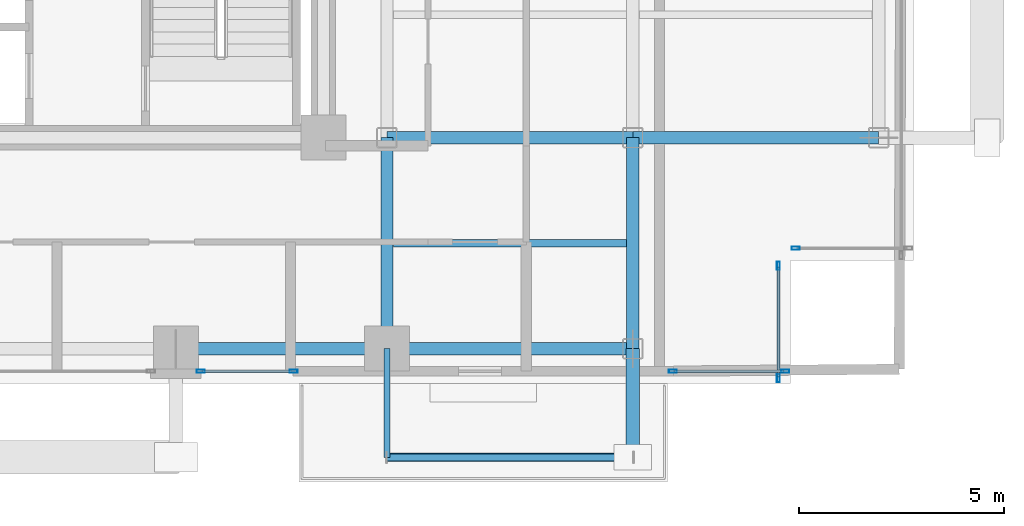
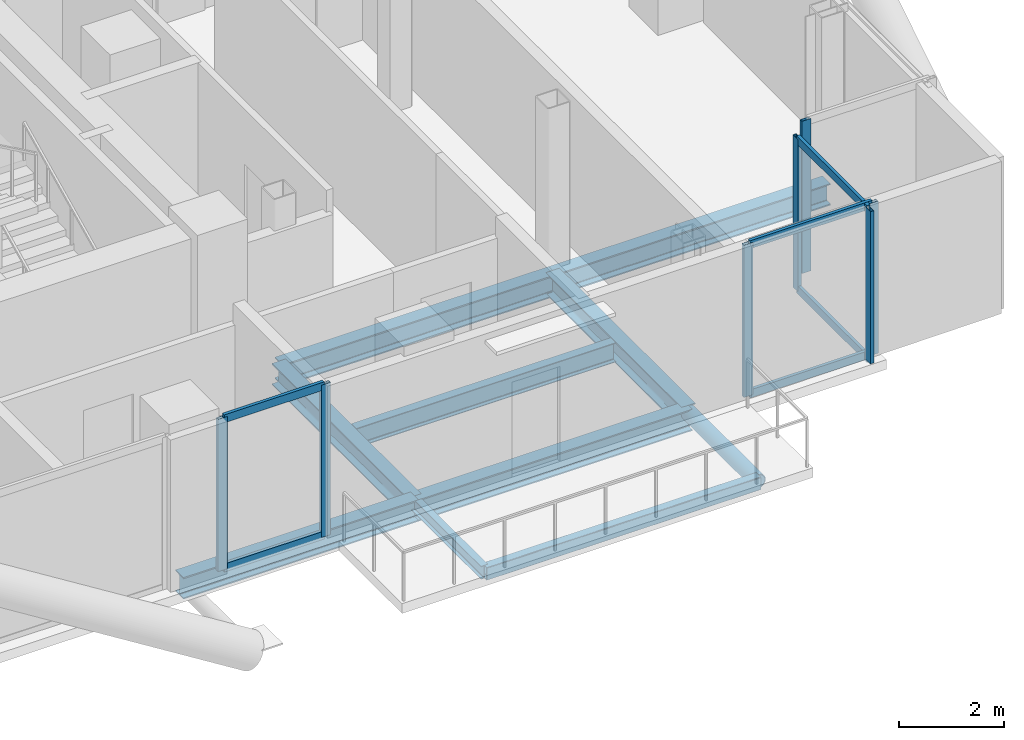
# One storey, part 10 of 28: 14 members, 9 beams, 4 elements without a shape of their own.
"""IFC4 building model written with IfcOpenShell, lengths in metres."""

from ifc_helpers import new_model, si_unit, direction, frame, origin, origin_2d, place, context, subcontext, project, spatial, hollow_rectangle, hollow_circle, i_section, extrude, material, layer, layer_set, material_profile, profile_set, type_object, element, aggregate, save


model = new_model("IFC4")

# Units and contexts
model_context = context("Model", 3, precision=1e-05, world=origin(), true_north=direction((0.0, 1.0)))
body_context = subcontext(model_context, "Body", "Model", "MODEL_VIEW")
ifc_project = project(units=[si_unit("LENGTHUNIT", "METRE"), si_unit("AREAUNIT", "SQUARE_METRE"), si_unit("VOLUMEUNIT", "CUBIC_METRE"), si_unit("PLANEANGLEUNIT", "RADIAN"), si_unit("MASSUNIT", "GRAM", prefix="KILO"), si_unit("THERMODYNAMICTEMPERATUREUNIT", "KELVIN"), si_unit("POWERUNIT", "WATT")], contexts=[model_context])

# Site, building, storey
site_placement = place(None, origin())
site = spatial("IfcSite", under=ifc_project, at=site_placement, CompositionType="ELEMENT")
building_placement = place(site_placement, origin())
building = spatial("IfcBuilding", under=site, at=building_placement, Name="Svarakhadi Broadcast Tower", CompositionType="ELEMENT")
storey_placement = place(building_placement, frame((0.0, 0.0, 134.39990234375)))
storey = spatial("IfcBuildingStorey", under=building, at=storey_placement, Name="L32", CompositionType="ELEMENT", Elevation=134.39990234375)

# Beam
ifc_material_1 = material(Name="Steel S355J2 (IS 2062 E350C)", Category="steel")
ifc_material_profile_1 = material_profile(ifc_material_1, i_section(OverallWidth=0.18994140625, OverallDepth=0.449951171875, WebThickness=0.009521484375, FlangeThickness=0.0146484375, FilletRadius=0.02099609375, at=origin_2d()), Name="NPB 450x190x78")
ifc_profile_set_1 = profile_set([ifc_material_profile_1], Name="Steel S355J2 (IS 2062 E350C)")
beam_type_1 = type_object("IfcBeamType", Name="Beam_NPB450", PredefinedType="BEAM", material=ifc_profile_set_1)
beam_1_placement = place(storey_placement, frame((35.31005859375, 3.425048828125, -0.449951171875), z_axis=(1.0, 0.0, 0.0), x_axis=(0.0, 1.0, 0.0)))
element("IfcBeam", 1, at=beam_1_placement, inside=storey, type_object=beam_type_1, Name="L32 Secondary Composite Beam SB019", PredefinedType="BEAM", context=body_context, shape_type="SweptSolid", body=[
    extrude(i_section(OverallWidth=0.18994140625, OverallDepth=0.449951171875, WebThickness=0.009521484375, FlangeThickness=0.0146484375, FilletRadius=0.02099609375, at=origin_2d()), origin(), (0.0, 0.0, 1.0), 5.679931640625),
])

# Curtain wall, member
ifc_material_2 = material(Name="Anodised Bronze Aluminium AA 6063-T6", Category="aluminium")
ifc_layer = layer(ifc_material_2, 0.199951171875)
ifc_layer_set = layer_set([ifc_layer], Name="Anodised Bronze Aluminium AA 6063-T6")
curtain_wall_type = type_object("IfcCurtainWallType", Name="CW_Sys_03", PredefinedType="NOTDEFINED", material=ifc_layer_set)
curtain_wall_1_placement = place(storey_placement, origin())
curtain_wall_1 = element("IfcCurtainWall", 2, at=curtain_wall_1_placement, inside=storey, type_object=curtain_wall_type, Name="L32 Unitised Facade Curtain Wall 14", PredefinedType="NOTDEFINED")
ifc_material_profile_2 = material_profile(ifc_material_2, hollow_rectangle(XDim=0.074951171875, YDim=0.199951171875, WallThickness=0.005615234375, at=origin_2d()), Name="ALU MULLION 200x75x6")
ifc_profile_set_2 = profile_set([ifc_material_profile_2], Name="Anodised Bronze Aluminium AA 6063-T6")
member_type_1 = type_object("IfcMemberType", Name="CW_Sys_03_Mul", PredefinedType="MULLION", material=ifc_profile_set_2)
member_1_placement = place(storey_placement, frame((45.12744140625, 3.300048828125, 0.0), z_axis=(0.0, 0.0, 1.0), x_axis=(0.0, -1.0, 0.0)))
member_1 = element("IfcMember", 3, at=member_1_placement, type_object=member_type_1, Name="CW-03 mullion 2", PredefinedType="MULLION", context=body_context, shape_type="SweptSolid", body=[
    extrude(hollow_rectangle(XDim=0.074951171875, YDim=0.199951171875, WallThickness=0.005615234375, at=origin_2d()), origin(), (0.0, 0.0, 1.0), 3.525146484375),
])
aggregate(curtain_wall_1, [member_1])

# Curtain wall, members
curtain_wall_2_placement = place(storey_placement, origin())
curtain_wall_2 = element("IfcCurtainWall", 4, at=curtain_wall_2_placement, inside=storey, type_object=curtain_wall_type, Name="L32 Unitised Facade Curtain Wall 15", PredefinedType="NOTDEFINED")
member_2_placement = place(storey_placement, frame((44.699951171875, 2.87255859375, 0.0), z_axis=(0.0, 0.0, 1.0), x_axis=(1.0, 0.0, 0.0)))
member_2 = element("IfcMember", 5, at=member_2_placement, type_object=member_type_1, Name="CW-03 mullion 1", PredefinedType="MULLION", context=body_context, shape_type="SweptSolid", body=[
    extrude(hollow_rectangle(XDim=0.074951171875, YDim=0.199951171875, WallThickness=0.005615234375, at=origin_2d()), origin(), (0.0, 0.0, 1.0), 3.525146484375),
])
member_3_placement = place(storey_placement, frame((44.699951171875, 0.12744140625, 0.0), z_axis=(0.0, 0.0, 1.0), x_axis=(1.0, 0.0, 0.0)))
member_3 = element("IfcMember", 6, at=member_3_placement, type_object=member_type_1, Name="CW-03 mullion 2", PredefinedType="MULLION", context=body_context, shape_type="SweptSolid", body=[
    extrude(hollow_rectangle(XDim=0.074951171875, YDim=0.199951171875, WallThickness=0.005615234375, at=origin_2d()), origin(), (0.0, 0.0, 1.0), 3.525146484375),
])

curtain_wall_3_placement = place(storey_placement, origin())
curtain_wall_3 = element("IfcCurtainWall", 7, at=curtain_wall_3_placement, inside=storey, type_object=curtain_wall_type, Name="L32 South Curtain Wall 16", PredefinedType="NOTDEFINED")
member_4_placement = place(storey_placement, frame((44.87255859375, 0.300048828125, 0.0), z_axis=(0.0, 0.0, 1.0), x_axis=(0.0, -1.0, 0.0)))
member_4 = element("IfcMember", 8, at=member_4_placement, type_object=member_type_1, Name="CW-03 mullion 1", PredefinedType="MULLION", context=body_context, shape_type="SweptSolid", body=[
    extrude(hollow_rectangle(XDim=0.074951171875, YDim=0.199951171875, WallThickness=0.005615234375, at=origin_2d()), origin(), (0.0, 0.0, 1.0), 3.525146484375),
])
member_5_placement = place(storey_placement, frame((42.12744140625, 0.300048828125, 0.0), z_axis=(0.0, 0.0, 1.0), x_axis=(0.0, -1.0, 0.0)))
member_5 = element("IfcMember", 9, at=member_5_placement, type_object=member_type_1, Name="CW-03 mullion 2", PredefinedType="MULLION", context=body_context, shape_type="SweptSolid", body=[
    extrude(hollow_rectangle(XDim=0.074951171875, YDim=0.199951171875, WallThickness=0.005615234375, at=origin_2d()), origin(), (0.0, 0.0, 1.0), 3.525146484375),
])

curtain_wall_4_placement = place(storey_placement, origin())
curtain_wall_4 = element("IfcCurtainWall", 10, at=curtain_wall_4_placement, inside=storey, type_object=curtain_wall_type, Name="L32 South Curtain Wall 17 Bay 1", PredefinedType="NOTDEFINED")
member_6_placement = place(storey_placement, frame((32.87255859375, 0.300048828125, 0.0), z_axis=(0.0, 0.0, 1.0), x_axis=(0.0, -1.0, 0.0)))
member_6 = element("IfcMember", 11, at=member_6_placement, type_object=member_type_1, Name="CW-03 mullion 1", PredefinedType="MULLION", context=body_context, shape_type="SweptSolid", body=[
    extrude(hollow_rectangle(XDim=0.074951171875, YDim=0.199951171875, WallThickness=0.005615234375, at=origin_2d()), origin(), (0.0, 0.0, 1.0), 3.525146484375),
])
member_7_placement = place(storey_placement, frame((30.607421875, 0.300048828125, 0.0), z_axis=(0.0, 0.0, 1.0), x_axis=(0.0, -1.0, 0.0)))
member_7 = element("IfcMember", 12, at=member_7_placement, type_object=member_type_1, Name="CW-03 mullion 2", PredefinedType="MULLION", context=body_context, shape_type="SweptSolid", body=[
    extrude(hollow_rectangle(XDim=0.074951171875, YDim=0.199951171875, WallThickness=0.005615234375, at=origin_2d()), origin(), (0.0, 0.0, 1.0), 3.525146484375),
])

# Member
ifc_material_profile_3 = material_profile(ifc_material_2, hollow_rectangle(XDim=0.070068359375, YDim=0.18505859375, WallThickness=0.0048828125, at=origin_2d()), Name="ALU TRANSOM 185x70x5")
ifc_profile_set_3 = profile_set([ifc_material_profile_3], Name="Anodised Bronze Aluminium AA 6063-T6")
member_type_2 = type_object("IfcMemberType", Name="CW_Sys_03_Trn", PredefinedType="USERDEFINED", material=ifc_profile_set_3)
member_8_placement = place(storey_placement, frame((44.699951171875, 2.8349609375, 0.03515625), z_axis=(0.0, -1.0, 0.0), x_axis=(1.0, 0.0, 0.0)))
member_8 = element("IfcMember", 13, at=member_8_placement, type_object=member_type_2, Name="CW-03 transom 1.1", ObjectType="TRANSOM", PredefinedType="USERDEFINED", context=body_context, shape_type="SweptSolid", body=[
    extrude(hollow_rectangle(XDim=0.070068359375, YDim=0.18505859375, WallThickness=0.0048828125, at=origin_2d()), origin(), (0.0, 0.0, 1.0), 2.669921875),
])

member_9_placement = place(storey_placement, frame((44.699951171875, 2.8349609375, 3.489990234375), z_axis=(0.0, -1.0, 0.0), x_axis=(1.0, 0.0, 0.0)))
member_9 = element("IfcMember", 14, at=member_9_placement, type_object=member_type_2, Name="CW-03 transom 1.2", ObjectType="TRANSOM", PredefinedType="USERDEFINED", context=body_context, shape_type="SweptSolid", body=[
    extrude(hollow_rectangle(XDim=0.070068359375, YDim=0.18505859375, WallThickness=0.0048828125, at=origin_2d()), origin(), (0.0, 0.0, 1.0), 2.669921875),
])

aggregate(curtain_wall_2, [member_2, member_3, member_8, member_9])

member_10_placement = place(storey_placement, frame((44.8349609375, 0.300048828125, 0.03515625), z_axis=(-1.0, 0.0, 0.0), x_axis=(0.0, -1.0, 0.0)))
member_10 = element("IfcMember", 15, at=member_10_placement, type_object=member_type_2, Name="CW-03 transom 1.1", ObjectType="TRANSOM", PredefinedType="USERDEFINED", context=body_context, shape_type="SweptSolid", body=[
    extrude(hollow_rectangle(XDim=0.070068359375, YDim=0.18505859375, WallThickness=0.0048828125, at=origin_2d()), origin(), (0.0, 0.0, 1.0), 2.669921875),
])

member_11_placement = place(storey_placement, frame((44.8349609375, 0.300048828125, 3.489990234375), z_axis=(-1.0, 0.0, 0.0), x_axis=(0.0, -1.0, 0.0)))
member_11 = element("IfcMember", 16, at=member_11_placement, type_object=member_type_2, Name="CW-03 transom 1.2", ObjectType="TRANSOM", PredefinedType="USERDEFINED", context=body_context, shape_type="SweptSolid", body=[
    extrude(hollow_rectangle(XDim=0.070068359375, YDim=0.18505859375, WallThickness=0.0048828125, at=origin_2d()), origin(), (0.0, 0.0, 1.0), 2.669921875),
])

aggregate(curtain_wall_3, [member_4, member_5, member_10, member_11])

member_12_placement = place(storey_placement, frame((32.8349609375, 0.300048828125, 0.03515625), z_axis=(-1.0, 0.0, 0.0), x_axis=(0.0, -1.0, 0.0)))
member_12 = element("IfcMember", 17, at=member_12_placement, type_object=member_type_2, Name="CW-03 transom 1.1", ObjectType="TRANSOM", PredefinedType="USERDEFINED", context=body_context, shape_type="SweptSolid", body=[
    extrude(hollow_rectangle(XDim=0.070068359375, YDim=0.18505859375, WallThickness=0.0048828125, at=origin_2d()), origin(), (0.0, 0.0, 1.0), 2.18994140625),
])

member_13_placement = place(storey_placement, frame((32.8349609375, 0.300048828125, 3.489990234375), z_axis=(-1.0, 0.0, 0.0), x_axis=(0.0, -1.0, 0.0)))
member_13 = element("IfcMember", 18, at=member_13_placement, type_object=member_type_2, Name="CW-03 transom 1.2", ObjectType="TRANSOM", PredefinedType="USERDEFINED", context=body_context, shape_type="SweptSolid", body=[
    extrude(hollow_rectangle(XDim=0.070068359375, YDim=0.18505859375, WallThickness=0.0048828125, at=origin_2d()), origin(), (0.0, 0.0, 1.0), 2.18994140625),
])

aggregate(curtain_wall_4, [member_6, member_7, member_12, member_13])

ifc_material_3 = material(Name="Steel S460ML (IS 2062 E450BR)", Category="steel")
ifc_material_profile_4 = material_profile(ifc_material_3, hollow_circle(Radius=0.161865234375, WallThickness=0.01611328125, at=origin_2d()), Name="CHS 323.9x16")
ifc_profile_set_4 = profile_set([ifc_material_profile_4], Name="Steel S460ML (IS 2062 E450BR)")
member_type_3 = type_object("IfcMemberType", Name="Exo_Radial_Strut_Z2", PredefinedType="STRUT", material=ifc_profile_set_4)
member_14_placement = place(storey_placement, frame((41.14990234375, -1.800048828125, -0.386962890625), z_axis=(0.0, 1.0, 0.0), x_axis=(-1.0, 0.0, 0.0)))
element("IfcMember", 19, at=member_14_placement, inside=storey, type_object=member_type_3, Name="L32 Exoskeleton Radial Tie Strut S04", PredefinedType="STRUT", context=body_context, shape_type="SweptSolid", body=[
    extrude(hollow_circle(Radius=0.161865234375, WallThickness=0.01611328125, at=origin_2d()), origin(), (0.0, 0.0, 1.0), 2.650146484375),
])

# Beams
ifc_material_profile_5 = material_profile(ifc_material_1, i_section(OverallWidth=0.300048828125, OverallDepth=0.5, WebThickness=0.014404296875, FlangeThickness=0.028076171875, FilletRadius=0.027099609375, at=origin_2d()), Name="WPB 500x300x187")
ifc_profile_set_5 = profile_set([ifc_material_profile_5], Name="Steel S355J2 (IS 2062 E350C)")
beam_type_2 = type_object("IfcBeamType", Name="Girder_WPB500", PredefinedType="USERDEFINED", material=ifc_profile_set_5)
beam_2_placement = place(storey_placement, frame((30.0, 0.85009765625, -0.474853515625), z_axis=(1.0, 0.0, 0.0), x_axis=(0.0, 1.0, 0.0)))
element("IfcBeam", 20, at=beam_2_placement, inside=storey, type_object=beam_type_2, Name="L32 Primary E-W Girder G008", ObjectType="GIRDER", PredefinedType="USERDEFINED", context=body_context, shape_type="SweptSolid", body=[
    extrude(i_section(OverallWidth=0.300048828125, OverallDepth=0.5, WebThickness=0.014404296875, FlangeThickness=0.028076171875, FilletRadius=0.027099609375, at=origin_2d()), origin(), (0.0, 0.0, 1.0), 5.14990234375),
])
for number, where, z_axis, x_axis, name in (
    (21, (35.14990234375, 0.85009765625, -0.474853515625), (1.0, 0.0, 0.0), (0.0, 1.0, 0.0), "L32 Primary E-W Girder G009"),
    (22, (35.14990234375, 6.0, -0.474853515625), (1.0, 0.0, 0.0), (0.0, 1.0, 0.0), "L32 Primary E-W Girder G015"),
    (23, (41.14990234375, 6.0, -0.474853515625), (1.0, 0.0, 0.0), (0.0, 1.0, 0.0), "L32 Primary E-W Girder G016"),
):
    element("IfcBeam", number, at=place(storey_placement, frame(where, z_axis=z_axis, x_axis=x_axis)), inside=storey, type_object=beam_type_2, Name=name, ObjectType="GIRDER", PredefinedType="USERDEFINED", context=body_context, shape_type="SweptSolid", body=[
        extrude(i_section(OverallWidth=0.300048828125, OverallDepth=0.5, WebThickness=0.014404296875, FlangeThickness=0.028076171875, FilletRadius=0.027099609375, at=origin_2d()), origin(), (0.0, 0.0, 1.0), 6.0),
    ])
for number, where, z_axis, x_axis, name in (
    (24, (35.14990234375, 0.85009765625, -0.474853515625), (0.0, 1.0, 0.0), (-1.0, 0.0, 0.0), "L32 Primary N-S Girder G067"),
    (25, (41.14990234375, 0.85009765625, -0.474853515625), (0.0, 1.0, 0.0), (-1.0, 0.0, 0.0), "L32 Primary N-S Girder G070"),
):
    element("IfcBeam", number, at=place(storey_placement, frame(where, z_axis=z_axis, x_axis=x_axis)), inside=storey, type_object=beam_type_2, Name=name, ObjectType="GIRDER", PredefinedType="USERDEFINED", context=body_context, shape_type="SweptSolid", body=[
        extrude(i_section(OverallWidth=0.300048828125, OverallDepth=0.5, WebThickness=0.014404296875, FlangeThickness=0.028076171875, FilletRadius=0.027099609375, at=origin_2d()), origin(), (0.0, 0.0, 1.0), 5.14990234375),
    ])
ifc_material_profile_6 = material_profile(ifc_material_1, i_section(OverallWidth=0.14990234375, OverallDepth=0.300048828125, WebThickness=0.007080078125, FlangeThickness=0.0107421875, FilletRadius=0.014892578125, at=origin_2d()), Name="NPB 300x150x37")
ifc_profile_set_6 = profile_set([ifc_material_profile_6], Name="Steel S355J2 (IS 2062 E350C)")
beam_type_3 = type_object("IfcBeamType", Name="Spandrel_NPB300", PredefinedType="SPANDREL", material=ifc_profile_set_6)
beam_3_placement = place(storey_placement, frame((35.14990234375, 0.85009765625, -0.375), z_axis=(0.0, -1.0, 0.0), x_axis=(1.0, 0.0, 0.0)))
element("IfcBeam", 26, at=beam_3_placement, inside=storey, type_object=beam_type_3, Name="L32 Balcony Cantilever Bracket 1A", PredefinedType="SPANDREL", context=body_context, shape_type="SweptSolid", body=[
    extrude(i_section(OverallWidth=0.14990234375, OverallDepth=0.300048828125, WebThickness=0.007080078125, FlangeThickness=0.0107421875, FilletRadius=0.014892578125, at=origin_2d()), origin(), (0.0, 0.0, 1.0), 2.650146484375),
])
ifc_material_profile_7 = material_profile(ifc_material_3, hollow_rectangle(XDim=0.199951171875, YDim=0.300048828125, WallThickness=0.012451171875, InnerFilletRadius=0.012451171875, OuterFilletRadius=0.02490234375, at=origin_2d()), Name="RHS 300x200x12.5")
ifc_profile_set_7 = profile_set([ifc_material_profile_7], Name="Steel S460ML (IS 2062 E450BR)")
beam_type_4 = type_object("IfcBeamType", Name="Spandrel_RHS300", PredefinedType="SPANDREL", material=ifc_profile_set_7)
beam_4_placement = place(storey_placement, frame((35.14990234375, -1.800048828125, -0.375), z_axis=(1.0, 0.0, 0.0), x_axis=(0.0, 1.0, 0.0)))
element("IfcBeam", 27, at=beam_4_placement, inside=storey, type_object=beam_type_4, Name="L32 Balcony Outer Spandrel 1F", PredefinedType="SPANDREL", context=body_context, shape_type="SweptSolid", body=[
    extrude(hollow_rectangle(XDim=0.199951171875, YDim=0.300048828125, WallThickness=0.012451171875, InnerFilletRadius=0.012451171875, OuterFilletRadius=0.02490234375, at=origin_2d()), origin(), (0.0, 0.0, 1.0), 6.0),
])

save(model, "model.ifc")
